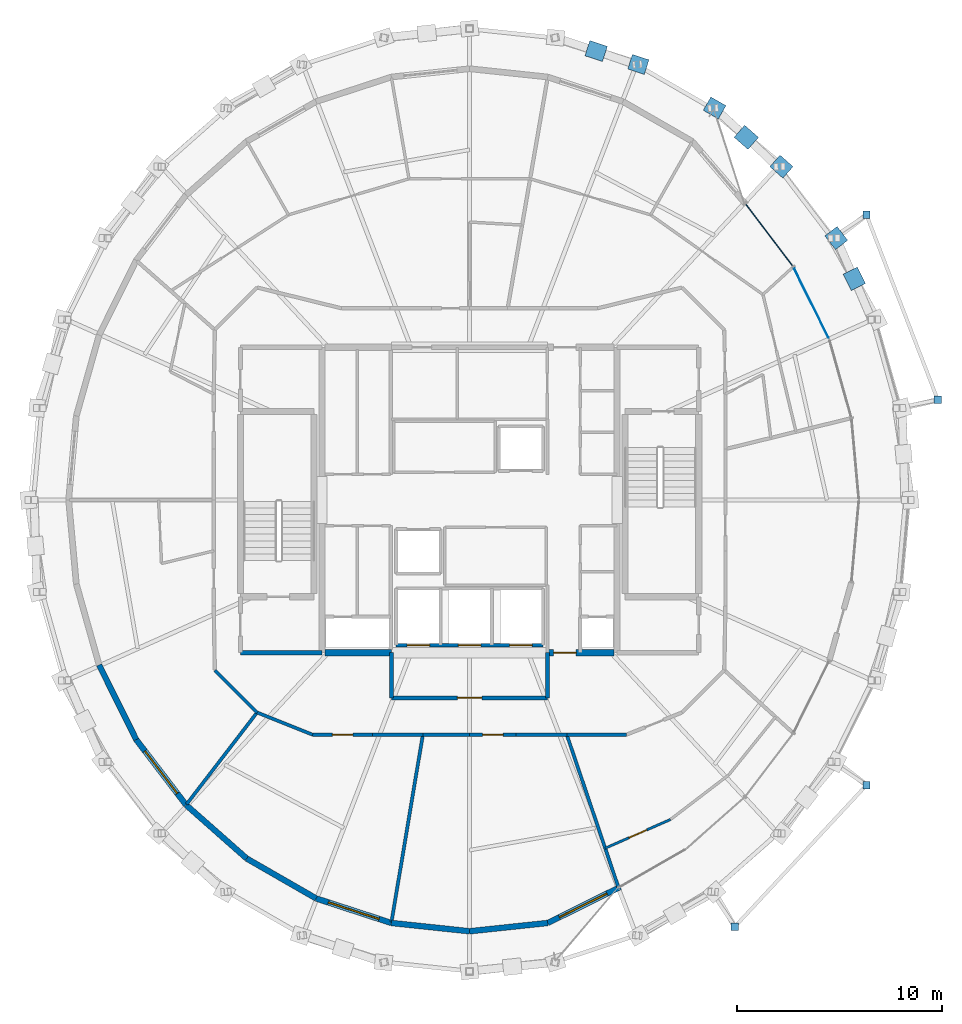
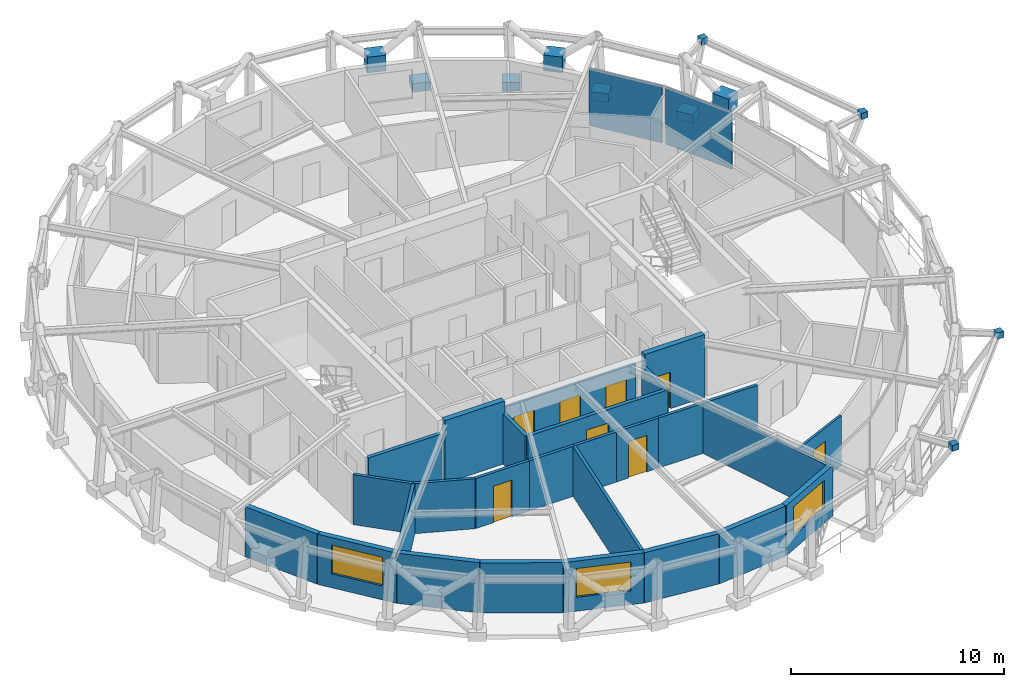
# One storey, part 10 of 15: 27 walls, 13 plates, 8 doors, 3 windows, 11 openings, 1 element without a shape of its own.
"""IFC4 building model written with IfcOpenShell, lengths in metres."""

from ifc_helpers import new_model, si_unit, direction, frame, frame_2d, origin, origin_2d, place, context, subcontext, project, spatial, rectangle, extrude, material, layer, layer_set, type_object, element, fill, aggregate, save


model = new_model("IFC4")

# Units and contexts
model_context = context("Model", 3, precision=1e-05, world=origin(), true_north=direction((0.0, 1.0)))
body_context = subcontext(model_context, "Body", "Model", "MODEL_VIEW")
ifc_project = project(units=[si_unit("LENGTHUNIT", "METRE"), si_unit("AREAUNIT", "SQUARE_METRE"), si_unit("VOLUMEUNIT", "CUBIC_METRE"), si_unit("PLANEANGLEUNIT", "RADIAN"), si_unit("MASSUNIT", "GRAM", prefix="KILO")], contexts=[model_context])

# Site, building, storey
site_placement = place(None, origin())
site = spatial("IfcSite", under=ifc_project, at=site_placement, CompositionType="ELEMENT")
building_placement = place(site_placement, origin())
building = spatial("IfcBuilding", under=site, at=building_placement, Name="Veldorina Hangang Commons", CompositionType="ELEMENT")
storey_placement = place(building_placement, frame((0.0, 0.0, 268.800048828125)))
storey = spatial("IfcBuildingStorey", under=building, at=storey_placement, Name="L70", CompositionType="ELEMENT", Elevation=268.800048828125)

# Curtain wall, plates
ifc_material_1 = material(Name="Glass Low-E Selective", Category="glass")
ifc_layer_1 = layer(ifc_material_1, 0.179931640625)
ifc_layer_set_1 = layer_set([ifc_layer_1], Name="Glass Low-E Selective")
curtain_wall_type = type_object("IfcCurtainWallType", Name="CW-SYS-Z3", PredefinedType="NOTDEFINED", material=ifc_layer_set_1)
curtain_wall_placement = place(storey_placement, origin())
curtain_wall = element("IfcCurtainWall", 1, at=curtain_wall_placement, inside=storey, type_object=curtain_wall_type, Name="L70 unitised curtain wall CW-L70-R2", PredefinedType="NOTDEFINED")
ifc_material_2 = material(Name="Glass Low-E Triple IGU", Category="glass")
ifc_layer_2 = layer(ifc_material_2, 0.0400390625)
ifc_layer_set_2 = layer_set([ifc_layer_2], Name="Glass Low-E Triple IGU")
plate_type_1 = type_object("IfcPlateType", Name="CW-PNL-VIS", PredefinedType="CURTAIN_PANEL", material=ifc_layer_set_2)
plate_1_placement = place(storey_placement, frame((48.673095703125, 33.606201171875, 0.014892578125), z_axis=(0.0, 0.0, 1.0), x_axis=(-0.444259945323, 0.895897930002, 0.0)))
plate_1 = element("IfcPlate", 2, at=plate_1_placement, type_object=plate_type_1, Name="CW-L70-R2 facet 4 glazed vision panel", PredefinedType="CURTAIN_PANEL", context=body_context, shape_type="SweptSolid", body=[
    extrude(rectangle(XDim=3.771484375, YDim=0.0400390625, at=origin_2d()), origin(), (0.0, 0.0, 1.0), 3.2900390625),
])
plate_2_placement = place(storey_placement, frame((46.614013671875, 36.927978515625, 0.014892578125), z_axis=(0.0, 0.0, 1.0), x_axis=(-0.605766238539, 0.795642673721, 0.0)))
plate_2 = element("IfcPlate", 3, at=plate_2_placement, type_object=plate_type_1, Name="CW-L70-R2 facet 5 glazed vision panel", PredefinedType="CURTAIN_PANEL", context=body_context, shape_type="SweptSolid", body=[
    extrude(rectangle(XDim=3.719970703125, YDim=0.0400390625, at=origin_2d()), origin(), (0.0, 0.0, 1.0), 3.2900390625),
])
aggregate(curtain_wall, [plate_1, plate_2])

# Plates
ifc_material_3 = material(Name="Steel SM460-TMC", Category="steel")
ifc_layer_3 = layer(ifc_material_3, 0.035888671875)
ifc_layer_set_3 = layer_set([ifc_layer_3], Name="Steel SM460-TMC")
plate_type_2 = type_object("IfcPlateType", Name="PL-STAR-36", PredefinedType="USERDEFINED", material=ifc_layer_set_3)
plate_3_placement = place(storey_placement, frame((50.766357421875, 34.7880859375, 1.352783203125), z_axis=(0.0, 0.0, 1.0), x_axis=(-0.447290848419, 0.89438856037, 0.0)))
element("IfcPlate", 4, at=plate_3_placement, inside=storey, type_object=plate_type_2, Name="L70 diagrid X-crossing star-node gusset plate 02", ObjectType="GUSSET PLATE", PredefinedType="USERDEFINED", context=body_context, shape_type="SweptSolid", body=[
    extrude(rectangle(XDim=0.89990234375, YDim=0.780029296875, at=origin_2d()), origin(), (0.0, 0.0, 1.0), 0.89990234375),
])
for number, where, z_axis, x_axis, name in (
    (5, (49.890625, 36.7763671875, -0.090087890625), (0.0, 0.0, 1.0), (-0.609024481463, 0.793151423739, 0.0), "L70 diagrid star-node gusset plate 03"),
    (6, (47.214599609375, 40.26123046875, -0.090087890625), (0.0, 0.0, 1.0), (-0.751782265839, 0.65941142299, 0.0), "L70 diagrid star-node gusset plate 04"),
):
    element("IfcPlate", number, at=place(storey_placement, frame(where, z_axis=z_axis, x_axis=x_axis)), inside=storey, type_object=plate_type_2, Name=name, ObjectType="GUSSET PLATE", PredefinedType="USERDEFINED", context=body_context, shape_type="SweptSolid", body=[
        extrude(rectangle(XDim=0.85009765625, YDim=0.75, at=origin_2d()), origin(), (0.0, 0.0, 1.0), 0.5),
    ])
plate_4_placement = place(storey_placement, frame((45.5, 41.691650390625, 1.35693359375), z_axis=(0.0, 0.0, 1.0), x_axis=(-0.751782265839, 0.65941142299, 0.0)))
element("IfcPlate", 7, at=plate_4_placement, inside=storey, type_object=plate_type_2, Name="L70 diagrid X-crossing star-node gusset plate 04", ObjectType="GUSSET PLATE", PredefinedType="USERDEFINED", context=body_context, shape_type="SweptSolid", body=[
    extrude(rectangle(XDim=0.89990234375, YDim=0.780029296875, at=origin_2d()), origin(), (0.0, 0.0, 1.0), 0.89990234375),
])
for number, where, z_axis, x_axis, name in (
    (8, (43.9541015625, 43.121337890625, -0.090087890625), (0.0, 0.0, 1.0), (-0.868294065218, 0.496049812325, 0.0), "L70 diagrid star-node gusset plate 05"),
    (9, (40.234130859375, 45.24658203125, -0.090087890625), (0.0, 0.0, 1.0), (-0.951255872444, 0.308402764484, 0.0), "L70 diagrid star-node gusset plate 06"),
):
    element("IfcPlate", number, at=place(storey_placement, frame(where, z_axis=z_axis, x_axis=x_axis)), inside=storey, type_object=plate_type_2, Name=name, ObjectType="GUSSET PLATE", PredefinedType="USERDEFINED", context=body_context, shape_type="SweptSolid", body=[
        extrude(rectangle(XDim=0.85009765625, YDim=0.75, at=origin_2d()), origin(), (0.0, 0.0, 1.0), 0.5),
    ])
plate_5_placement = place(storey_placement, frame((38.176513671875, 45.898681640625, 1.360595703125), z_axis=(0.0, 0.0, 1.0), x_axis=(-0.951255872444, 0.308402764484, 0.0)))
element("IfcPlate", 10, at=plate_5_placement, inside=storey, type_object=plate_type_2, Name="L70 diagrid X-crossing star-node gusset plate 06", ObjectType="GUSSET PLATE", PredefinedType="USERDEFINED", context=body_context, shape_type="SweptSolid", body=[
    extrude(rectangle(XDim=0.89990234375, YDim=0.780029296875, at=origin_2d()), origin(), (0.0, 0.0, 1.0), 0.89990234375),
])
for number, where, z_axis, x_axis, name in (
    (11, (44.937255859375, 3.184326171875, 3.0048828125), (0.0, 0.0, 1.0), (1.0, 0.0, 0.0), "L71 tree balcony 1 strut end gusset A"),
    (12, (51.36181640625, 10.09130859375, 3.0048828125), (0.0, 0.0, 1.0), (1.0, 0.0, 0.0), "L71 tree balcony 1 strut end gusset B"),
    (13, (54.8388671875, 28.884033203125, 3.0048828125), (0.0, 0.0, 1.0), (1.0, 0.0, 0.0), "L71 tree balcony 2 strut end gusset A"),
    (14, (51.36181640625, 37.90869140625, 3.0048828125), (0.0, 0.0, 1.0), (1.0, 0.0, 0.0), "L71 tree balcony 2 strut end gusset B"),
):
    element("IfcPlate", number, at=place(storey_placement, frame(where, z_axis=z_axis, x_axis=x_axis)), inside=storey, type_object=plate_type_2, Name=name, ObjectType="GUSSET PLATE", PredefinedType="USERDEFINED", context=body_context, shape_type="SweptSolid", body=[
        extrude(rectangle(XDim=0.360107421875, YDim=0.360107421875, at=origin_2d()), origin(), (0.0, 0.0, 1.0), 0.360107421875),
    ])

# Wall
ifc_material_4 = material(Name="Concrete C50/60", Category="concrete")
ifc_layer_4 = layer(ifc_material_4, 0.300048828125)
ifc_layer_set_4 = layer_set([ifc_layer_4], Name="Concrete C50/60")
wall_type_1 = type_object("IfcWallType", Name="CW-RC300-C50", PredefinedType="SHEAR", material=ifc_layer_set_4)
wall_1_placement = place(storey_placement, frame((24.949951171875, 16.550048828125, 0.0), z_axis=(0.0, 0.0, 1.0), x_axis=(1.0, 0.0, 0.0)))
element("IfcWall", 15, at=wall_1_placement, inside=storey, type_object=wall_type_1, Name="L70 south-west core shear wall", PredefinedType="SHEAR", context=body_context, shape_type="SweptSolid", body=[
    extrude(rectangle(XDim=3.25, YDim=0.300048828125, at=frame_2d((1.625, 0.0))), origin(), (0.0, 0.0, 1.0), 3.599853515625),
])

# Wall, opening, door
wall_2_placement = place(storey_placement, frame((35.800048828125, 16.550048828125, 0.0), z_axis=(0.0, 0.0, 1.0), x_axis=(1.0, 0.0, 0.0)))
wall_2 = element("IfcWall", 16, at=wall_2_placement, inside=storey, type_object=wall_type_1, Name="L70 south-east core shear wall", PredefinedType="SHEAR", context=body_context, shape_type="SweptSolid", body=[
    extrude(rectangle(XDim=3.25, YDim=0.300048828125, at=frame_2d((1.625, 0.0))), origin(), (0.0, 0.0, 1.0), 3.599853515625),
])
opening_1_placement = place(wall_2_placement, frame((0.300048828125, 0.0, 0.0)))
opening_1 = element("IfcOpeningElement", 17, at=opening_1_placement, cuts=wall_2, Name="Opening D-08", PredefinedType="OPENING", context=body_context, shape_type="SweptSolid", body=[
    extrude(rectangle(XDim=1.10009765625, YDim=2.10009765625, at=frame_2d((0.550048828125, 1.050048828125))), frame((0.0, 0.16015625, 0.0), z_axis=(0.0, -1.0, 0.0), x_axis=(1.0, 0.0, 0.0)), (0.0, 0.0, 1.0), 0.320068359375),
])
ifc_material_5 = material(Name="Steel Fire-Rated Smoke Seal", Category="steel")
door_type_1 = type_object("IfcDoorType", Name="DR-FIRE-1100", OperationType="SINGLE_SWING_RIGHT", PredefinedType="DOOR", material=ifc_material_5)
door_1_placement = place(opening_1_placement, origin())
door_1 = element("IfcDoor", 18, at=door_1_placement, inside=storey, type_object=door_type_1, Name="L70 central lift lobby south corridor door", OperationType="SINGLE_SWING_RIGHT", OverallHeight=2.10009765625, OverallWidth=1.10009765625, PredefinedType="DOOR", context=body_context, shape_type="SweptSolid", body=[
    extrude(rectangle(XDim=1.10009765625, YDim=2.10009765625, at=frame_2d((0.550048828125, 1.050048828125))), frame((0.0, 0.02490234375, 0.0), z_axis=(0.0, -1.0, 0.0), x_axis=(1.0, 0.0, 0.0)), (0.0, 0.0, 1.0), 0.050048828125),
])
fill(opening_1, door_1)

# Wall
ifc_material_6 = material(Name="Stone Roman Travertine", Category="masonry")
ifc_layer_5 = layer(ifc_material_6, 0.280029296875)
ifc_layer_set_5 = layer_set([ifc_layer_5], Name="Stone Roman Travertine")
wall_type_2 = type_object("IfcWallType", Name="EW-TRAV-280", PredefinedType="STANDARD", material=ifc_layer_set_5)
wall_3_placement = place(storey_placement, frame((13.931884765625, 15.949462890625, 0.0), z_axis=(0.0, 0.0, 1.0), x_axis=(0.444975896213, -0.895542546052, 0.0)))
element("IfcWall", 19, at=wall_3_placement, inside=storey, type_object=wall_type_2, Name="L70 travertine facade wall 18", PredefinedType="STANDARD", context=body_context, shape_type="SweptSolid", body=[
    extrude(rectangle(XDim=4.061279296875, YDim=0.280029296875, at=frame_2d((2.03076171875, 0.0))), origin(), (0.0, 0.0, 1.0), 2.8798828125),
])

# Wall, opening, window
wall_4_placement = place(storey_placement, frame((15.739013671875, 12.3125, 0.0), z_axis=(0.0, 0.0, 1.0), x_axis=(0.606584214855, -0.795019238942, 0.0)))
wall_4 = element("IfcWall", 20, at=wall_4_placement, inside=storey, type_object=wall_type_2, Name="L70 travertine facade wall 19", PredefinedType="STANDARD", context=body_context, shape_type="SweptSolid", body=[
    extrude(rectangle(XDim=4.010009765625, YDim=0.280029296875, at=frame_2d((2.0048828125, 0.0))), origin(), (0.0, 0.0, 1.0), 2.8798828125),
])
opening_2_placement = place(wall_4_placement, frame((0.704833984375, 0.0, 0.800048828125)))
opening_2 = element("IfcOpeningElement", 21, at=opening_2_placement, cuts=wall_4, Name="Opening W-02", PredefinedType="OPENING", context=body_context, shape_type="SweptSolid", body=[
    extrude(rectangle(XDim=2.60009765625, YDim=1.64990234375, at=frame_2d((1.300048828125, 0.824951171875))), frame((0.0, 0.14990234375, 0.0), z_axis=(0.0, -1.0, 0.0), x_axis=(1.0, 0.0, 0.0)), (0.0, 0.0, 1.0), 0.300048828125),
])
window_type = type_object("IfcWindowType", Name="WIN-TWR-2600", PartitioningType="SINGLE_PANEL", PredefinedType="WINDOW", material=ifc_material_2)
window_1_placement = place(opening_2_placement, origin())
window_1 = element("IfcWindow", 22, at=window_1_placement, inside=storey, type_object=window_type, Name="L70 facade window 19", OverallHeight=1.64990234375, OverallWidth=2.60009765625, PartitioningType="SINGLE_PANEL", PredefinedType="WINDOW", context=body_context, shape_type="SweptSolid", body=[
    extrude(rectangle(XDim=2.60009765625, YDim=1.64990234375, at=frame_2d((1.300048828125, 0.824951171875))), frame((0.0, 0.030029296875, 0.0), z_axis=(0.0, -1.0, 0.0), x_axis=(1.0, 0.0, 0.0)), (0.0, 0.0, 1.0), 0.06005859375),
])
fill(opening_2, window_1)

# Walls
wall_5_placement = place(storey_placement, frame((18.17138671875, 9.12451171875, 0.0), z_axis=(0.0, 0.0, 1.0), x_axis=(0.749653985562, -0.661829964515, 0.0)))
element("IfcWall", 23, at=wall_5_placement, inside=storey, type_object=wall_type_2, Name="L70 travertine facade wall 20", PredefinedType="STANDARD", context=body_context, shape_type="SweptSolid", body=[
    extrude(rectangle(XDim=3.952880859375, YDim=0.280029296875, at=frame_2d((1.9765625, 0.0))), origin(), (0.0, 0.0, 1.0), 2.8798828125),
])
wall_6_placement = place(storey_placement, frame((21.134765625, 6.50830078125, 0.0), z_axis=(0.0, 0.0, 1.0), x_axis=(0.866911036779, -0.498462891608, 0.0)))
element("IfcWall", 24, at=wall_6_placement, inside=storey, type_object=wall_type_2, Name="L70 travertine facade wall 21", PredefinedType="STANDARD", context=body_context, shape_type="SweptSolid", body=[
    extrude(rectangle(XDim=3.900146484375, YDim=0.280029296875, at=frame_2d((1.9501953125, 0.0))), origin(), (0.0, 0.0, 1.0), 2.8798828125),
])

# Wall, opening, window
wall_7_placement = place(storey_placement, frame((24.515869140625, 4.564208984375, 0.0), z_axis=(0.0, 0.0, 1.0), x_axis=(0.950681997555, -0.310167276684, 0.0)))
wall_7 = element("IfcWall", 25, at=wall_7_placement, inside=storey, type_object=wall_type_2, Name="L70 travertine facade wall 22", PredefinedType="STANDARD", context=body_context, shape_type="SweptSolid", body=[
    extrude(rectangle(XDim=3.859375, YDim=0.280029296875, at=frame_2d((1.9296875, 0.0))), origin(), (0.0, 0.0, 1.0), 2.8798828125),
])
opening_3_placement = place(wall_7_placement, frame((0.629638671875, 0.0, 0.800048828125)))
opening_3 = element("IfcOpeningElement", 26, at=opening_3_placement, cuts=wall_7, Name="Opening W-02", PredefinedType="OPENING", context=body_context, shape_type="SweptSolid", body=[
    extrude(rectangle(XDim=2.60009765625, YDim=1.64990234375, at=frame_2d((1.300048828125, 0.824951171875))), frame((0.0, 0.14990234375, 0.0), z_axis=(0.0, -1.0, 0.0), x_axis=(1.0, 0.0, 0.0)), (0.0, 0.0, 1.0), 0.300048828125),
])
window_2_placement = place(opening_3_placement, origin())
window_2 = element("IfcWindow", 27, at=window_2_placement, inside=storey, type_object=window_type, Name="L70 facade window 22", OverallHeight=1.64990234375, OverallWidth=2.60009765625, PartitioningType="SINGLE_PANEL", PredefinedType="WINDOW", context=body_context, shape_type="SweptSolid", body=[
    extrude(rectangle(XDim=2.60009765625, YDim=1.64990234375, at=frame_2d((1.300048828125, 0.824951171875))), frame((0.0, 0.030029296875, 0.0), z_axis=(0.0, -1.0, 0.0), x_axis=(1.0, 0.0, 0.0)), (0.0, 0.0, 1.0), 0.06005859375),
])
fill(opening_3, window_2)

# Walls
for number, where, z_axis, x_axis, name in (
    (28, (28.184814453125, 3.3671875, 0.0), (0.0, 0.0, 1.0), (0.99443198522, -0.105380390832, 0.0), "L70 travertine facade wall 23"),
    (29, (32.0, 2.962890625, 0.0), (0.0, 0.0, 1.0), (0.99443198522, 0.105380390832, 0.0), "L70 travertine facade wall 24"),
):
    element("IfcWall", number, at=place(storey_placement, frame(where, z_axis=z_axis, x_axis=x_axis)), inside=storey, type_object=wall_type_2, Name=name, PredefinedType="STANDARD", context=body_context, shape_type="SweptSolid", body=[
        extrude(rectangle(XDim=3.83642578125, YDim=0.280029296875, at=frame_2d((1.918212890625, 0.0))), origin(), (0.0, 0.0, 1.0), 2.8798828125),
    ])

# Wall, opening, window
wall_8_placement = place(storey_placement, frame((35.815185546875, 3.3671875, 0.0), z_axis=(0.0, 0.0, 1.0), x_axis=(0.89575867974, 0.444540647939, 0.0)))
wall_8 = element("IfcWall", 30, at=wall_8_placement, inside=storey, type_object=wall_type_2, Name="L70 travertine facade wall 25", PredefinedType="STANDARD", context=body_context, shape_type="SweptSolid", body=[
    extrude(rectangle(XDim=3.94873046875, YDim=0.280029296875, at=frame_2d((1.974365234375, 0.0))), origin(), (0.0, 0.0, 1.0), 2.8798828125),
])
opening_4_placement = place(wall_8_placement, frame((0.62841796875, 0.0, 0.800048828125)))
opening_4 = element("IfcOpeningElement", 31, at=opening_4_placement, cuts=wall_8, Name="Opening W-02", PredefinedType="OPENING", context=body_context, shape_type="SweptSolid", body=[
    extrude(rectangle(XDim=2.60009765625, YDim=1.64990234375, at=frame_2d((1.300048828125, 0.824951171875))), frame((0.0, 0.14990234375, 0.0), z_axis=(0.0, -1.0, 0.0), x_axis=(1.0, 0.0, 0.0)), (0.0, 0.0, 1.0), 0.300048828125),
])
window_3_placement = place(opening_4_placement, origin())
window_3 = element("IfcWindow", 32, at=window_3_placement, inside=storey, type_object=window_type, Name="L70 facade window 25", OverallHeight=1.64990234375, OverallWidth=2.60009765625, PartitioningType="SINGLE_PANEL", PredefinedType="WINDOW", context=body_context, shape_type="SweptSolid", body=[
    extrude(rectangle(XDim=2.60009765625, YDim=1.64990234375, at=frame_2d((1.300048828125, 0.824951171875))), frame((0.0, 0.030029296875, 0.0), z_axis=(0.0, -1.0, 0.0), x_axis=(1.0, 0.0, 0.0)), (0.0, 0.0, 1.0), 0.06005859375),
])
fill(opening_4, window_3)

# Wall, openings, doors
ifc_material_7 = material(Name="Gypsum Fire-Rated Twin Stud Wall", Category="gypsum")
ifc_layer_6 = layer(ifc_material_7, 0.159912109375)
ifc_layer_set_6 = layer_set([ifc_layer_6], Name="Gypsum Fire-Rated Twin Stud Wall")
wall_type_3 = type_object("IfcWallType", Name="WL-FIRE-160", PredefinedType="SOLIDWALL", material=ifc_layer_set_6)
wall_9_placement = place(storey_placement, frame((28.419921875, 16.919921875, 0.0), z_axis=(0.0, 0.0, 1.0), x_axis=(1.0, 0.0, 0.0)))
wall_9 = element("IfcWall", 33, at=wall_9_placement, inside=storey, type_object=wall_type_3, Name="L70 Emergency front shaft wall 023", PredefinedType="SOLIDWALL", context=body_context, shape_type="SweptSolid", body=[
    extrude(rectangle(XDim=7.16015625, YDim=0.159912109375, at=frame_2d((3.580078125, 0.0))), origin(), (0.0, 0.0, 1.0), 2.869873046875),
])
opening_5_placement = place(wall_9_placement, frame((0.530029296875, 0.0, 0.0)))
opening_5 = element("IfcOpeningElement", 34, at=opening_5_placement, cuts=wall_9, Name="Opening LD-03", PredefinedType="OPENING", context=body_context, shape_type="SweptSolid", body=[
    extrude(rectangle(XDim=1.10009765625, YDim=2.14990234375, at=frame_2d((0.550048828125, 1.074951171875))), frame((0.0, 0.08984375, 0.0), z_axis=(0.0, -1.0, 0.0), x_axis=(1.0, 0.0, 0.0)), (0.0, 0.0, 1.0), 0.179931640625),
])
opening_6_placement = place(wall_9_placement, frame((3.030029296875, 0.0, 0.0)))
opening_6 = element("IfcOpeningElement", 35, at=opening_6_placement, cuts=wall_9, Name="Opening LD-03", PredefinedType="OPENING", context=body_context, shape_type="SweptSolid", body=[
    extrude(rectangle(XDim=1.10009765625, YDim=2.14990234375, at=frame_2d((0.550048828125, 1.074951171875))), frame((0.0, 0.08984375, 0.0), z_axis=(0.0, -1.0, 0.0), x_axis=(1.0, 0.0, 0.0)), (0.0, 0.0, 1.0), 0.179931640625),
])
opening_7_placement = place(wall_9_placement, frame((5.530029296875, 0.0, 0.0)))
opening_7 = element("IfcOpeningElement", 36, at=opening_7_placement, cuts=wall_9, Name="Opening LD-03", PredefinedType="OPENING", context=body_context, shape_type="SweptSolid", body=[
    extrude(rectangle(XDim=1.10009765625, YDim=2.14990234375, at=frame_2d((0.550048828125, 1.074951171875))), frame((0.0, 0.08984375, 0.0), z_axis=(0.0, -1.0, 0.0), x_axis=(1.0, 0.0, 0.0)), (0.0, 0.0, 1.0), 0.179931640625),
])
ifc_material_8 = material(Name="Stainless Steel Firefighting Lift Door", Category="steel")
door_type_2 = type_object("IfcDoorType", Name="DR-LIFT-FF1100", OperationType="SLIDING_TO_RIGHT", PredefinedType="DOOR", material=ifc_material_8)
door_2_placement = place(opening_5_placement, origin())
door_2 = element("IfcDoor", 37, at=door_2_placement, inside=storey, type_object=door_type_2, Name="L70 Emergency lift FFL-1 landing door 008", OperationType="SLIDING_TO_RIGHT", OverallHeight=2.14990234375, OverallWidth=1.10009765625, PredefinedType="DOOR", context=body_context, shape_type="SweptSolid", body=[
    extrude(rectangle(XDim=1.10009765625, YDim=2.14990234375, at=frame_2d((0.550048828125, 1.074951171875))), frame((0.0, 0.02490234375, 0.0), z_axis=(0.0, -1.0, 0.0), x_axis=(1.0, 0.0, 0.0)), (0.0, 0.0, 1.0), 0.050048828125),
])
fill(opening_5, door_2)
door_3_placement = place(opening_6_placement, origin())
door_3 = element("IfcDoor", 38, at=door_3_placement, inside=storey, type_object=door_type_2, Name="L70 Emergency lift FFL-2 landing door 009", OperationType="SLIDING_TO_RIGHT", OverallHeight=2.14990234375, OverallWidth=1.10009765625, PredefinedType="DOOR", context=body_context, shape_type="SweptSolid", body=[
    extrude(rectangle(XDim=1.10009765625, YDim=2.14990234375, at=frame_2d((0.550048828125, 1.074951171875))), frame((0.0, 0.02490234375, 0.0), z_axis=(0.0, -1.0, 0.0), x_axis=(1.0, 0.0, 0.0)), (0.0, 0.0, 1.0), 0.050048828125),
])
fill(opening_6, door_3)
door_4_placement = place(opening_7_placement, origin())
door_4 = element("IfcDoor", 39, at=door_4_placement, inside=storey, type_object=door_type_2, Name="L70 Emergency lift EVL-1 landing door 010", OperationType="SLIDING_TO_RIGHT", OverallHeight=2.14990234375, OverallWidth=1.10009765625, PredefinedType="DOOR", context=body_context, shape_type="SweptSolid", body=[
    extrude(rectangle(XDim=1.10009765625, YDim=2.14990234375, at=frame_2d((0.550048828125, 1.074951171875))), frame((0.0, 0.02490234375, 0.0), z_axis=(0.0, -1.0, 0.0), x_axis=(1.0, 0.0, 0.0)), (0.0, 0.0, 1.0), 0.050048828125),
])
fill(opening_7, door_4)

# Walls
wall_10_placement = place(storey_placement, frame((19.5732421875, 15.69677734375, 0.0), z_axis=(0.0, 0.0, 1.0), x_axis=(0.707106781187, -0.707106781187, 0.0)))
element("IfcWall", 40, at=wall_10_placement, inside=storey, type_object=wall_type_3, Name="L70 Compact collar outer wall 19 075", PredefinedType="SOLIDWALL", context=body_context, shape_type="SweptSolid", body=[
    extrude(rectangle(XDim=2.915771484375, YDim=0.159912109375, at=frame_2d((1.4580078125, 0.0))), origin(), (0.0, 0.0, 1.0), 2.869873046875),
])
wall_11_placement = place(storey_placement, frame((21.635009765625, 13.635009765625, 0.0), z_axis=(0.0, 0.0, 1.0), x_axis=(0.92856882165, -0.371160266542, 0.0)))
element("IfcWall", 41, at=wall_11_placement, inside=storey, type_object=wall_type_3, Name="L70 Compact collar outer wall 20 076", PredefinedType="SOLIDWALL", context=body_context, shape_type="SweptSolid", body=[
    extrude(rectangle(XDim=2.923095703125, YDim=0.159912109375, at=frame_2d((1.46142578125, 0.0))), origin(), (0.0, 0.0, 1.0), 2.869873046875),
])

# Wall, opening, door
wall_12_placement = place(storey_placement, frame((24.349365234375, 12.550048828125, 0.0), z_axis=(0.0, 0.0, 1.0), x_axis=(1.0, 0.0, 0.0)))
wall_12 = element("IfcWall", 42, at=wall_12_placement, inside=storey, type_object=wall_type_3, Name="L70 Compact collar outer wall 21 077", PredefinedType="SOLIDWALL", context=body_context, shape_type="SweptSolid", body=[
    extrude(rectangle(XDim=2.907958984375, YDim=0.159912109375, at=frame_2d((1.4541015625, 0.0))), origin(), (0.0, 0.0, 1.0), 2.869873046875),
])
opening_8_placement = place(wall_12_placement, frame((0.9541015625, 0.0, 0.0)))
opening_8 = element("IfcOpeningElement", 43, at=opening_8_placement, cuts=wall_12, Name="Opening D-05", PredefinedType="OPENING", context=body_context, shape_type="SweptSolid", body=[
    extrude(rectangle(XDim=1.0, YDim=2.10009765625, at=frame_2d((0.5, 1.050048828125))), frame((0.0, 0.08984375, 0.0), z_axis=(0.0, -1.0, 0.0), x_axis=(1.0, 0.0, 0.0)), (0.0, 0.0, 1.0), 0.179931640625),
])
ifc_material_9 = material(Name="Timber Solid Core Acoustic", Category="wood")
door_type_3 = type_object("IfcDoorType", Name="DR-INT-1000", OperationType="SINGLE_SWING_RIGHT", PredefinedType="DOOR", material=ifc_material_9)
door_5_placement = place(opening_8_placement, origin())
door_5 = element("IfcDoor", 44, at=door_5_placement, inside=storey, type_object=door_type_3, Name="L70 Floor Study Room 6 door 041", OperationType="SINGLE_SWING_LEFT", OverallHeight=2.10009765625, OverallWidth=1.0, PredefinedType="DOOR", context=body_context, shape_type="SweptSolid", body=[
    extrude(rectangle(XDim=1.0, YDim=2.10009765625, at=frame_2d((0.5, 1.050048828125))), frame((0.0, 0.02490234375, 0.0), z_axis=(0.0, -1.0, 0.0), x_axis=(1.0, 0.0, 0.0)), (0.0, 0.0, 1.0), 0.050048828125),
])
fill(opening_8, door_5)

# Walls
wall_13_placement = place(storey_placement, frame((27.25732421875, 12.550048828125, 0.0), z_axis=(0.0, 0.0, 1.0), x_axis=(1.0, 0.0, 0.0)))
element("IfcWall", 45, at=wall_13_placement, inside=storey, type_object=wall_type_3, Name="L70 Compact collar outer wall 22 078", PredefinedType="SOLIDWALL", context=body_context, shape_type="SweptSolid", body=[
    extrude(rectangle(XDim=2.465087890625, YDim=0.159912109375, at=frame_2d((1.232421875, 0.0))), origin(), (0.0, 0.0, 1.0), 2.869873046875),
])
wall_14_placement = place(storey_placement, frame((29.722412109375, 12.550048828125, 0.0), z_axis=(0.0, 0.0, 1.0), x_axis=(1.0, 0.0, 0.0)))
element("IfcWall", 46, at=wall_14_placement, inside=storey, type_object=wall_type_3, Name="L70 Compact collar outer wall 23 079", PredefinedType="SOLIDWALL", context=body_context, shape_type="SweptSolid", body=[
    extrude(rectangle(XDim=2.277587890625, YDim=0.159912109375, at=frame_2d((1.138671875, 0.0))), origin(), (0.0, 0.0, 1.0), 2.869873046875),
])

# Wall, opening, door
wall_15_placement = place(storey_placement, frame((32.0, 12.550048828125, 0.0), z_axis=(0.0, 0.0, 1.0), x_axis=(1.0, 0.0, 0.0)))
wall_15 = element("IfcWall", 47, at=wall_15_placement, inside=storey, type_object=wall_type_3, Name="L70 Compact collar outer wall 24 080", PredefinedType="SOLIDWALL", context=body_context, shape_type="SweptSolid", body=[
    extrude(rectangle(XDim=2.277587890625, YDim=0.159912109375, at=frame_2d((1.138671875, 0.0))), origin(), (0.0, 0.0, 1.0), 2.869873046875),
])
opening_9_placement = place(wall_15_placement, frame((0.638671875, 0.0, 0.0)))
opening_9 = element("IfcOpeningElement", 48, at=opening_9_placement, cuts=wall_15, Name="Opening D-05", PredefinedType="OPENING", context=body_context, shape_type="SweptSolid", body=[
    extrude(rectangle(XDim=1.0, YDim=2.10009765625, at=frame_2d((0.5, 1.050048828125))), frame((0.0, 0.08984375, 0.0), z_axis=(0.0, -1.0, 0.0), x_axis=(1.0, 0.0, 0.0)), (0.0, 0.0, 1.0), 0.179931640625),
])
door_6_placement = place(opening_9_placement, origin())
door_6 = element("IfcDoor", 49, at=door_6_placement, inside=storey, type_object=door_type_3, Name="L70 Seminar Focus Room 7 door 042", OperationType="SINGLE_SWING_RIGHT", OverallHeight=2.10009765625, OverallWidth=1.0, PredefinedType="DOOR", context=body_context, shape_type="SweptSolid", body=[
    extrude(rectangle(XDim=1.0, YDim=2.10009765625, at=frame_2d((0.5, 1.050048828125))), frame((0.0, 0.02490234375, 0.0), z_axis=(0.0, -1.0, 0.0), x_axis=(1.0, 0.0, 0.0)), (0.0, 0.0, 1.0), 0.050048828125),
])
fill(opening_9, door_6)

# Walls
wall_16_placement = place(storey_placement, frame((34.277587890625, 12.550048828125, 0.0), z_axis=(0.0, 0.0, 1.0), x_axis=(1.0, 0.0, 0.0)))
element("IfcWall", 50, at=wall_16_placement, inside=storey, type_object=wall_type_3, Name="L70 Compact collar outer wall 25 081", PredefinedType="SOLIDWALL", context=body_context, shape_type="SweptSolid", body=[
    extrude(rectangle(XDim=2.465087890625, YDim=0.159912109375, at=frame_2d((1.232421875, 0.0))), origin(), (0.0, 0.0, 1.0), 2.869873046875),
])
wall_17_placement = place(storey_placement, frame((36.74267578125, 12.550048828125, 0.0), z_axis=(0.0, 0.0, 1.0), x_axis=(1.0, 0.0, 0.0)))
element("IfcWall", 51, at=wall_17_placement, inside=storey, type_object=wall_type_3, Name="L70 Compact collar outer wall 26 082", PredefinedType="SOLIDWALL", context=body_context, shape_type="SweptSolid", body=[
    extrude(rectangle(XDim=2.907958984375, YDim=0.159912109375, at=frame_2d((1.4541015625, 0.0))), origin(), (0.0, 0.0, 1.0), 2.869873046875),
])
wall_18_placement = place(storey_placement, frame((21.635009765625, 13.635009765625, 0.0), z_axis=(0.0, 0.0, 1.0), x_axis=(-0.609053303756, -0.793129291593, 0.0)))
element("IfcWall", 52, at=wall_18_placement, inside=storey, type_object=wall_type_3, Name="L70 Unit party wall 20 111", PredefinedType="SOLIDWALL", context=body_context, shape_type="SweptSolid", body=[
    extrude(rectangle(XDim=5.63671875, YDim=0.159912109375, at=frame_2d((2.818359375, 0.0))), origin(), (0.0, 0.0, 1.0), 2.869873046875),
])
wall_19_placement = place(storey_placement, frame((29.722412109375, 12.550048828125, 0.0), z_axis=(0.0, 0.0, 1.0), x_axis=(-0.165138533261, -0.9862703812, 0.0)))
element("IfcWall", 53, at=wall_19_placement, inside=storey, type_object=wall_type_3, Name="L70 Unit party wall 23 112", PredefinedType="SOLIDWALL", context=body_context, shape_type="SweptSolid", body=[
    extrude(rectangle(XDim=9.2607421875, YDim=0.159912109375, at=frame_2d((4.63037109375, 0.0))), origin(), (0.0, 0.0, 1.0), 2.869873046875),
])
wall_20_placement = place(storey_placement, frame((36.74267578125, 12.550048828125, 0.0), z_axis=(0.0, 0.0, 1.0), x_axis=(0.320543694865, -0.947233730228, 0.0)))
element("IfcWall", 54, at=wall_20_placement, inside=storey, type_object=wall_type_3, Name="L70 Unit party wall 26 113", PredefinedType="SOLIDWALL", context=body_context, shape_type="SweptSolid", body=[
    extrude(rectangle(XDim=7.834228515625, YDim=0.159912109375, at=frame_2d((3.9169921875, 0.0))), origin(), (0.0, 0.0, 1.0), 2.869873046875),
])
ifc_material_10 = material(Name="Concrete Blockwork Fire Wall C30/37", Category="masonry")
ifc_layer_7 = layer(ifc_material_10, 0.199951171875)
ifc_layer_set_7 = layer_set([ifc_layer_7], Name="Concrete Blockwork Fire Wall C30/37")
wall_type_4 = type_object("IfcWallType", Name="WL-FIRE-200", PredefinedType="SOLIDWALL", material=ifc_layer_set_7)
wall_21_placement = place(storey_placement, frame((20.820068359375, 16.550048828125, 0.0), z_axis=(0.0, 0.0, 1.0), x_axis=(1.0, 0.0, 0.0)))
element("IfcWall", 55, at=wall_21_placement, inside=storey, type_object=wall_type_4, Name="L70 West vestibule south wall 002", PredefinedType="SOLIDWALL", context=body_context, shape_type="SweptSolid", body=[
    extrude(rectangle(XDim=3.97998046875, YDim=0.199951171875, at=frame_2d((1.989990234375, 0.0))), origin(), (0.0, 0.0, 1.0), 2.869873046875),
])
for number, where, z_axis, x_axis, name in (
    (56, (28.199951171875, 14.35009765625, 0.0), (0.0, 0.0, 1.0), (0.0, 1.0, 0.0), "L70 FF lobby west wall 012"),
    (57, (35.800048828125, 14.35009765625, 0.0), (0.0, 0.0, 1.0), (0.0, 1.0, 0.0), "L70 FF lobby east wall 013"),
):
    element("IfcWall", number, at=place(storey_placement, frame(where, z_axis=z_axis, x_axis=x_axis)), inside=storey, type_object=wall_type_4, Name=name, PredefinedType="SOLIDWALL", context=body_context, shape_type="SweptSolid", body=[
        extrude(rectangle(XDim=2.199951171875, YDim=0.199951171875, at=frame_2d((1.10009765625, 0.0))), origin(), (0.0, 0.0, 1.0), 2.869873046875),
    ])

# Wall, opening, door
wall_22_placement = place(storey_placement, frame((28.199951171875, 14.35009765625, 0.0), z_axis=(0.0, 0.0, 1.0), x_axis=(1.0, 0.0, 0.0)))
wall_22 = element("IfcWall", 58, at=wall_22_placement, inside=storey, type_object=wall_type_4, Name="L70 FF lobby south wall 014", PredefinedType="SOLIDWALL", context=body_context, shape_type="SweptSolid", body=[
    extrude(rectangle(XDim=7.60009765625, YDim=0.199951171875, at=frame_2d((3.800048828125, 0.0))), origin(), (0.0, 0.0, 1.0), 2.869873046875),
])
opening_10_placement = place(wall_22_placement, frame((3.199951171875, 0.0, 0.0)))
opening_10 = element("IfcOpeningElement", 59, at=opening_10_placement, cuts=wall_22, Name="Opening D-09", PredefinedType="OPENING", context=body_context, shape_type="SweptSolid", body=[
    extrude(rectangle(XDim=1.199951171875, YDim=2.10009765625, at=frame_2d((0.60009765625, 1.050048828125))), frame((0.0, 0.10986328125, 0.0), z_axis=(0.0, -1.0, 0.0), x_axis=(1.0, 0.0, 0.0)), (0.0, 0.0, 1.0), 0.219970703125),
])
ifc_material_11 = material(Name="Steel Fire-Rated Corridor Door", Category="steel")
door_type_4 = type_object("IfcDoorType", Name="DR-FIRE-1200", OperationType="SINGLE_SWING_LEFT", PredefinedType="DOOR", material=ifc_material_11)
door_7_placement = place(opening_10_placement, origin())
door_7 = element("IfcDoor", 60, at=door_7_placement, inside=storey, type_object=door_type_4, Name="L70 FF lobby south corridor door 005", OperationType="SINGLE_SWING_LEFT", OverallHeight=2.10009765625, OverallWidth=1.199951171875, PredefinedType="DOOR", context=body_context, shape_type="SweptSolid", body=[
    extrude(rectangle(XDim=1.199951171875, YDim=2.10009765625, at=frame_2d((0.60009765625, 1.050048828125))), frame((0.0, 0.02490234375, 0.0), z_axis=(0.0, -1.0, 0.0), x_axis=(1.0, 0.0, 0.0)), (0.0, 0.0, 1.0), 0.050048828125),
])
fill(opening_10, door_7)

ifc_material_12 = material(Name="Gypsum Acoustic Stud Partition", Category="gypsum")
ifc_layer_8 = layer(ifc_material_12, 0.1201171875)
ifc_layer_set_8 = layer_set([ifc_layer_8], Name="Gypsum Acoustic Stud Partition")
wall_type_5 = type_object("IfcWallType", Name="WL-PART-120", PredefinedType="PARTITIONING", material=ifc_layer_set_8)
wall_23_placement = place(storey_placement, frame((38.6162109375, 7.013427734375, 0.0), z_axis=(0.0, 0.0, 1.0), x_axis=(0.915245747152, 0.402896044061, 0.0)))
wall_23 = element("IfcWall", 61, at=wall_23_placement, inside=storey, type_object=wall_type_5, Name="L70 Laundry split 0 114", PredefinedType="PARTITIONING", context=body_context, shape_type="SweptSolid", body=[
    extrude(rectangle(XDim=3.48193359375, YDim=0.1201171875, at=frame_2d((1.740966796875, 0.0))), origin(), (0.0, 0.0, 1.0), 2.869873046875),
])
opening_11_placement = place(wall_23_placement, frame((1.26611328125, 0.0, 0.0)))
opening_11 = element("IfcOpeningElement", 62, at=opening_11_placement, cuts=wall_23, Name="Opening D-02", PredefinedType="OPENING", context=body_context, shape_type="SweptSolid", body=[
    extrude(rectangle(XDim=0.949951171875, YDim=2.10009765625, at=frame_2d((0.47509765625, 1.050048828125))), frame((0.0, 0.070068359375, 0.0), z_axis=(0.0, -1.0, 0.0), x_axis=(1.0, 0.0, 0.0)), (0.0, 0.0, 1.0), 0.14013671875),
])
door_type_5 = type_object("IfcDoorType", Name="DR-INT-950", OperationType="SINGLE_SWING_LEFT", PredefinedType="DOOR", material=ifc_material_9)
door_8_placement = place(opening_11_placement, origin())
door_8 = element("IfcDoor", 63, at=door_8_placement, inside=storey, type_object=door_type_5, Name="L70 Resident laundry inner door 044", OperationType="SINGLE_SWING_RIGHT", OverallHeight=2.10009765625, OverallWidth=0.949951171875, PredefinedType="DOOR", context=body_context, shape_type="SweptSolid", body=[
    extrude(rectangle(XDim=0.949951171875, YDim=2.10009765625, at=frame_2d((0.47509765625, 1.050048828125))), frame((0.0, 0.02490234375, 0.0), z_axis=(0.0, -1.0, 0.0), x_axis=(1.0, 0.0, 0.0)), (0.0, 0.0, 1.0), 0.050048828125),
])
fill(opening_11, door_8)

save(model, "model.ifc")
